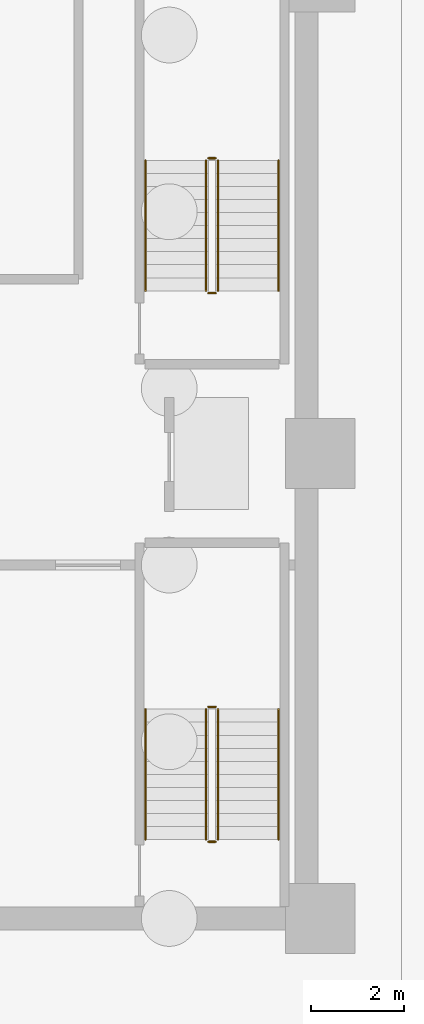
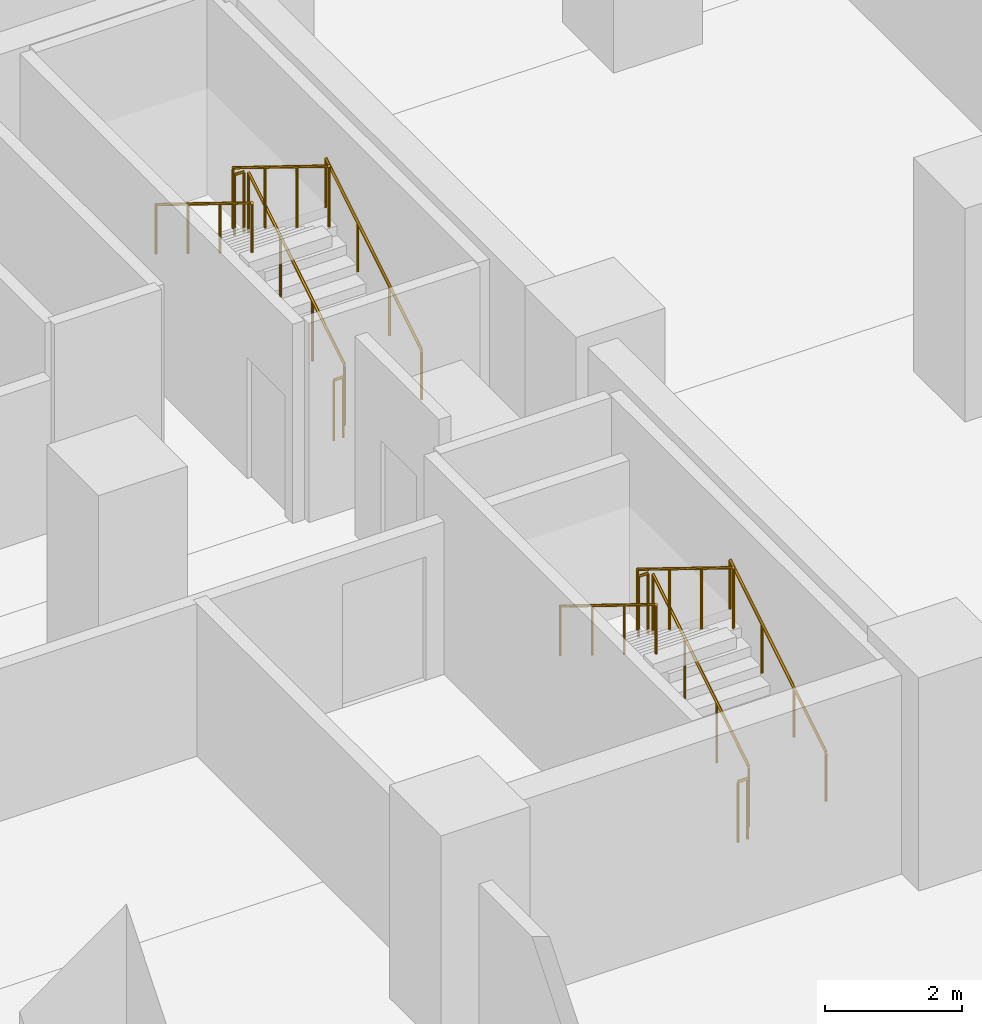
# One storey, part 6 of 7: 12 railings.
"""IFC4 building model written with IfcOpenShell, lengths in metres."""

import ifcopenshell
import ifcopenshell.guid

model = None  # the IFC model being written
_history = None  # IfcOwnerHistory: only IFC2X3 demands one
_inside = {}  # id of a spatial element -> (the spatial element, [elements in it])
_under = {}  # id of a project, library or spatial element -> (it, [spatial elements below it])
_declared = {}  # id of a project -> (the project, [libraries it declares])
_typed = {}  # id of a type object -> (the type object, [elements of that type])
_made_of = {}  # id of a material, layer set ... -> (it, [elements and type objects made of it])


def new_model(schema):
    """Start an empty IFC model of exactly this schema.

    Asked for "IFC4X3", IfcOpenShell would pick the latest addendum, in which some entities
    have other attributes; the version numbers below select the first issue.
    IFC2X3 requires an IfcOwnerHistory on every rooted entity: one is made here for all.
    """
    global model, _history
    if schema == "IFC4X3":
        model = ifcopenshell.file(schema_version=(4, 3, 0, 0))
    else:
        model = ifcopenshell.file(schema=schema)
    _inside.clear()
    _under.clear()
    _declared.clear()
    _typed.clear()
    _made_of.clear()
    _history = None
    if model.schema == "IFC2X3":
        org = make("IfcOrganization", Name="unknown")
        user = make(
            "IfcPersonAndOrganization",
            ThePerson=make("IfcPerson", FamilyName="unknown"),
            TheOrganization=org,
        )
        app = make(
            "IfcApplication",
            ApplicationDeveloper=org,
            Version="unknown",
            ApplicationFullName="unknown",
            ApplicationIdentifier="unknown",
        )
        _history = make(
            "IfcOwnerHistory",
            OwningUser=user,
            OwningApplication=app,
            ChangeAction="ADDED",
            CreationDate=0,
        )
    return model


def make(cls, **values):
    """One entity of the class cls with the attributes given. An attribute that is None is left unset."""
    return model.create_entity(
        cls, **{name: value for name, value in values.items() if value is not None}
    )


def rooted(cls, **values):
    """An entity with a GlobalId (a new one), such as an element, a storey or a relation."""
    return make(cls, GlobalId=ifcopenshell.guid.new(), OwnerHistory=_history, **values)


def si_unit(unit_type, name, prefix=None):
    """IfcSIUnit, for example si_unit("LENGTHUNIT", "METRE", prefix="MILLI")."""
    return make("IfcSIUnit", UnitType=unit_type, Prefix=prefix, Name=name)


def assignment(units):
    """IfcUnitAssignment: the units of a project."""
    return None if units is None else make("IfcUnitAssignment", Units=units)


def point(xyz):
    """IfcCartesianPoint."""
    return None if xyz is None else make("IfcCartesianPoint", Coordinates=xyz)


def direction(xyz):
    """IfcDirection."""
    return None if xyz is None else make("IfcDirection", DirectionRatios=xyz)


def frame(location, z_axis=None, x_axis=None):
    """IfcAxis2Placement3D, a coordinate frame: its origin and axes. An axis left out is left unset."""
    return make(
        "IfcAxis2Placement3D",
        Location=point(location),
        Axis=direction(z_axis),
        RefDirection=direction(x_axis),
    )


def frame_2d(location, x_axis=None):
    """IfcAxis2Placement2D, a coordinate frame in the plane: its origin and x axis."""
    return make(
        "IfcAxis2Placement2D", Location=point(location), RefDirection=direction(x_axis)
    )


def origin():
    """The frame at (0, 0, 0) with its axes left unset."""
    return frame((0.0, 0.0, 0.0))


def origin_2d():
    """The frame at (0, 0) in the plane with its x axis left unset."""
    return frame_2d((0.0, 0.0))


def place(relative_to, where):
    """IfcLocalPlacement: puts the frame where relative to a parent placement (None: the world)."""
    return make(
        "IfcLocalPlacement", PlacementRelTo=relative_to, RelativePlacement=where
    )


def context(
    kind, dimensions, precision=None, world=None, true_north=None, identifier=None
):
    """IfcGeometricRepresentationContext, for example the 3D "Model" context."""
    return make(
        "IfcGeometricRepresentationContext",
        ContextIdentifier=identifier,
        ContextType=kind,
        CoordinateSpaceDimension=dimensions,
        Precision=precision,
        WorldCoordinateSystem=world,
        TrueNorth=true_north,
    )


def subcontext(parent, identifier, kind, view, scale=None):
    """IfcGeometricRepresentationSubContext, for example "Body" below "Model"."""
    return make(
        "IfcGeometricRepresentationSubContext",
        ContextIdentifier=identifier,
        ContextType=kind,
        ParentContext=parent,
        TargetScale=scale,
        TargetView=view,
    )


def project(units=None, contexts=None):
    """IfcProject with its units and contexts."""
    return rooted(
        "IfcProject",
        Name="project",
        RepresentationContexts=contexts,
        UnitsInContext=assignment(units),
    )


def spatial(cls, under=None, at=None, **own):
    """A site, building, storey or space (cls), placed at a placement, below another one or the project."""
    s = rooted(cls, ObjectPlacement=at, **own)
    if under is not None:
        _under.setdefault(under.id(), (under, []))[1].append(s)
    return s


def profile(cls, at=None, kind="AREA", **sizes):
    """A parametric profile (cls). Its sizes go by their IFC names, for example OverallWidth=200.0."""
    return make(cls, ProfileType=kind, Position=at, **sizes)


def circle(**sizes):
    """IfcCircleProfileDef."""
    return profile("IfcCircleProfileDef", **sizes)


def extrude(swept, where, along, depth):
    """IfcExtrudedAreaSolid: the profile swept, set in the frame where, extruded along a direction by depth."""
    return make(
        "IfcExtrudedAreaSolid",
        SweptArea=swept,
        Position=where,
        ExtrudedDirection=direction(along),
        Depth=depth,
    )


def shape(context_of_items, identifier, shape_type, items):
    """IfcShapeRepresentation: the items that make up one representation, for example the "Body"."""
    return make(
        "IfcShapeRepresentation",
        ContextOfItems=context_of_items,
        RepresentationIdentifier=identifier,
        RepresentationType=shape_type,
        Items=items,
    )


def material(Name=None, Category=None):
    """IfcMaterial."""
    return make("IfcMaterial", Name=Name, Category=Category)


def layer(
    of_material, thickness, ventilated=None, Name=None, Category=None, Priority=None
):
    """IfcMaterialLayer: one layer of a wall or slab, of a material (None: an air gap)."""
    return make(
        "IfcMaterialLayer",
        Material=of_material,
        LayerThickness=thickness,
        IsVentilated=ventilated,
        Name=Name,
        Category=Category,
        Priority=Priority,
    )


def layer_set(layers, Name=None):
    """IfcMaterialLayerSet."""
    return make("IfcMaterialLayerSet", MaterialLayers=layers, LayerSetName=Name)


def made_of(thing, what):
    """Note that an element or type object is made of a material, layer set ...; save() writes the relation."""
    if what is not None:
        _made_of.setdefault(what.id(), (what, []))[1].append(thing)
    return thing


def type_object(cls, material=None, **own):
    """A type object (cls), such as IfcWallType, which elements share."""
    return made_of(rooted(cls, **own), material)


def element(
    cls,
    number,
    at=None,
    inside=None,
    cuts=None,
    type_object=None,
    material=None,
    context=None,
    identifier="Body",
    shape_type=None,
    held_by="IfcProductDefinitionShape",
    body=None,
    shapes=None,
    **own,
):
    """One element of the class cls, such as IfcWall. Its Tag is "e" and its number.

    at: its placement. inside: the storey or other place that contains it. cuts: it is an
    opening in that element (IfcRelVoidsElement). A single representation is given by context,
    identifier, shape_type and body (its items); several are given by shapes. held_by: the class
    of the entity that holds the representations. save() writes the other relations.
    """
    e = rooted(cls, Tag="e%d" % number, ObjectPlacement=at, **own)
    if body is not None:
        shapes = [shape(context, identifier, shape_type, body)]
    if shapes is not None:
        e.Representation = make(held_by, Representations=shapes)
    if inside is not None:
        _inside.setdefault(inside.id(), (inside, []))[1].append(e)
    if cuts is not None:
        rooted(
            "IfcRelVoidsElement", RelatingBuildingElement=cuts, RelatedOpeningElement=e
        )
    if type_object is not None:
        _typed.setdefault(type_object.id(), (type_object, []))[1].append(e)
    return made_of(e, material)


def aggregate(whole, parts):
    """IfcRelAggregates: a whole, such as a stair, and the parts it consists of."""
    return rooted("IfcRelAggregates", RelatingObject=whole, RelatedObjects=parts)


def save(model, path):
    """Write the relations noted so far, then the file.

    IfcRelAggregates (storeys below a building ...), IfcRelContainedInSpatialStructure (elements
    in a storey), IfcRelDefinesByType, IfcRelAssociatesMaterial and IfcRelDeclares: one each for
    every whole, place, type object, material and project.
    """
    for whole, parts in _under.values():
        aggregate(whole, parts)
    for where, things in _inside.values():
        rooted(
            "IfcRelContainedInSpatialStructure",
            RelatedElements=things,
            RelatingStructure=where,
        )
    for kind, things in _typed.values():
        rooted("IfcRelDefinesByType", RelatedObjects=things, RelatingType=kind)
    for what, things in _made_of.values():
        rooted("IfcRelAssociatesMaterial", RelatedObjects=things, RelatingMaterial=what)
    for by, libraries in _declared.values():
        rooted("IfcRelDeclares", RelatingContext=by, RelatedDefinitions=libraries)
    model.write(path)


model = new_model("IFC4")

# Units and contexts
model_context = context("Model", 3, precision=1e-05, world=origin(), true_north=direction((0.0, 1.0)))
body_context = subcontext(model_context, "Body", "Model", "MODEL_VIEW")
ifc_project = project(units=[si_unit("LENGTHUNIT", "METRE"), si_unit("AREAUNIT", "SQUARE_METRE"), si_unit("VOLUMEUNIT", "CUBIC_METRE"), si_unit("PLANEANGLEUNIT", "RADIAN"), si_unit("MASSUNIT", "GRAM", prefix="KILO")], contexts=[model_context])

# Site, building, storey
site_placement = place(None, origin())
site = spatial("IfcSite", under=ifc_project, at=site_placement, CompositionType="ELEMENT")
building_placement = place(site_placement, origin())
building = spatial("IfcBuilding", under=site, at=building_placement, Name="Kuzgunbayir Cultural Tower", CompositionType="ELEMENT")
storey_placement = place(building_placement, frame((0.0, 0.0, -11.39990234375)))
storey = spatial("IfcBuildingStorey", under=building, at=storey_placement, Name="B03", CompositionType="ELEMENT", Elevation=-11.39990234375)

# Railings
ifc_material_1 = material(Name="Brushed Stainless Steel", Category="steel")
ifc_layer_1 = layer(ifc_material_1, 0.050048828125)
ifc_layer_set_1 = layer_set([ifc_layer_1], Name="Brushed Stainless Steel")
railing_type_1 = type_object("IfcRailingType", Name="RLG-STAIR-HANDRAIL", PredefinedType="HANDRAIL", material=ifc_layer_set_1)
railing_1_placement = place(storey_placement, frame((71.75, 23.699951171875, 0.172607421875)))
element("IfcRailing", 1, at=railing_1_placement, inside=storey, type_object=railing_type_1, Name="B03 ST-3 stair handrail 1", PredefinedType="HANDRAIL", context=body_context, shape_type="SweptSolid", body=[
    extrude(circle(Radius=0.02392578125, at=origin_2d()), frame((0.0, 0.0, 0.8759765625), z_axis=(0.0, 0.851089632645, 0.525020415988), x_axis=(-1.0, 0.0, 0.0)), (0.0, 0.0, 1.0), 3.2900390625),
    extrude(circle(Radius=0.02099609375, at=origin_2d()), origin(), (0.0, 0.0, 1.0), 0.851806640625),
    extrude(circle(Radius=0.02099609375, at=origin_2d()), frame((0.0, 0.933349609375, 0.57568359375)), (0.0, 0.0, 1.0), 0.851806640625),
    extrude(circle(Radius=0.02099609375, at=origin_2d()), frame((0.0, 1.86669921875, 1.151611328125)), (0.0, 0.0, 1.0), 0.851806640625),
    extrude(circle(Radius=0.02099609375, at=origin_2d()), frame((0.0, 2.800048828125, 1.727294921875)), (0.0, 0.0, 1.0), 0.851806640625),
])
railing_2_placement = place(storey_placement, frame((68.889892578125, 26.5, 2.072509765625)))
element("IfcRailing", 2, at=railing_2_placement, inside=storey, type_object=railing_type_1, Name="B03 ST-3 stair handrail 2", PredefinedType="HANDRAIL", context=body_context, shape_type="SweptSolid", body=[
    extrude(circle(Radius=0.02392578125, at=origin_2d()), frame((0.0, 0.0, 0.8759765625), z_axis=(0.0, -0.851089632645, 0.525020415988), x_axis=(1.0, 0.0, 0.0)), (0.0, 0.0, 1.0), 3.2900390625),
    extrude(circle(Radius=0.02099609375, at=origin_2d()), origin(), (0.0, 0.0, 1.0), 0.851806640625),
    extrude(circle(Radius=0.02099609375, at=origin_2d()), frame((0.0, -0.933349609375, 0.57568359375)), (0.0, 0.0, 1.0), 0.851806640625),
    extrude(circle(Radius=0.02099609375, at=origin_2d()), frame((0.0, -1.86669921875, 1.151611328125)), (0.0, 0.0, 1.0), 0.851806640625),
    extrude(circle(Radius=0.02099609375, at=origin_2d()), frame((0.0, -2.800048828125, 1.727294921875)), (0.0, 0.0, 1.0), 0.851806640625),
])
railing_3_placement = place(storey_placement, frame((71.75, 35.5, 0.172607421875)))
element("IfcRailing", 3, at=railing_3_placement, inside=storey, type_object=railing_type_1, Name="B03 ST-4 stair handrail 1", PredefinedType="HANDRAIL", context=body_context, shape_type="SweptSolid", body=[
    extrude(circle(Radius=0.02392578125, at=origin_2d()), frame((0.0, 0.0, 0.8759765625), z_axis=(0.0, 0.851089632645, 0.525020415988), x_axis=(-1.0, 0.0, 0.0)), (0.0, 0.0, 1.0), 3.2900390625),
    extrude(circle(Radius=0.02099609375, at=origin_2d()), origin(), (0.0, 0.0, 1.0), 0.851806640625),
    extrude(circle(Radius=0.02099609375, at=origin_2d()), frame((0.0, 0.933349609375, 0.57568359375)), (0.0, 0.0, 1.0), 0.851806640625),
    extrude(circle(Radius=0.02099609375, at=origin_2d()), frame((0.0, 1.86669921875, 1.151611328125)), (0.0, 0.0, 1.0), 0.851806640625),
    extrude(circle(Radius=0.02099609375, at=origin_2d()), frame((0.0, 2.800048828125, 1.727294921875)), (0.0, 0.0, 1.0), 0.851806640625),
])
railing_4_placement = place(storey_placement, frame((68.889892578125, 38.300048828125, 2.072509765625)))
element("IfcRailing", 4, at=railing_4_placement, inside=storey, type_object=railing_type_1, Name="B03 ST-4 stair handrail 2", PredefinedType="HANDRAIL", context=body_context, shape_type="SweptSolid", body=[
    extrude(circle(Radius=0.02392578125, at=origin_2d()), frame((0.0, 0.0, 0.8759765625), z_axis=(0.0, -0.851089632645, 0.525020415988), x_axis=(1.0, 0.0, 0.0)), (0.0, 0.0, 1.0), 3.2900390625),
    extrude(circle(Radius=0.02099609375, at=origin_2d()), origin(), (0.0, 0.0, 1.0), 0.851806640625),
    extrude(circle(Radius=0.02099609375, at=origin_2d()), frame((0.0, -0.933349609375, 0.57568359375)), (0.0, 0.0, 1.0), 0.851806640625),
    extrude(circle(Radius=0.02099609375, at=origin_2d()), frame((0.0, -1.86669921875, 1.151611328125)), (0.0, 0.0, 1.0), 0.851806640625),
    extrude(circle(Radius=0.02099609375, at=origin_2d()), frame((0.0, -2.800048828125, 1.727294921875)), (0.0, 0.0, 1.0), 0.851806640625),
])
ifc_material_2 = material(Name="Painted Steel Balustrade", Category="steel")
ifc_layer_2 = layer(ifc_material_2, 0.06005859375)
ifc_layer_set_2 = layer_set([ifc_layer_2], Name="Painted Steel Balustrade")
railing_type_2 = type_object("IfcRailingType", Name="RLG-WELL-GUARD", PredefinedType="GUARDRAIL", material=ifc_layer_set_2)
railing_5_placement = place(storey_placement, frame((70.449951171875, 23.699951171875, 0.172607421875)))
element("IfcRailing", 5, at=railing_5_placement, inside=storey, type_object=railing_type_2, Name="B03 ST-3 stair guard 1", PredefinedType="GUARDRAIL", context=body_context, shape_type="SweptSolid", body=[
    extrude(circle(Radius=0.02392578125, at=origin_2d()), frame((0.0, 0.0, 1.076171875), z_axis=(0.0, 0.851089632645, 0.525020415988), x_axis=(-1.0, 0.0, 0.0)), (0.0, 0.0, 1.0), 3.2900390625),
    extrude(circle(Radius=0.02099609375, at=origin_2d()), origin(), (0.0, 0.0, 1.0), 1.052001953125),
    extrude(circle(Radius=0.02099609375, at=origin_2d()), frame((0.0, 0.933349609375, 0.57568359375)), (0.0, 0.0, 1.0), 1.052001953125),
    extrude(circle(Radius=0.02099609375, at=origin_2d()), frame((0.0, 1.86669921875, 1.151611328125)), (0.0, 0.0, 1.0), 1.052001953125),
    extrude(circle(Radius=0.02099609375, at=origin_2d()), frame((0.0, 2.800048828125, 1.727294921875)), (0.0, 0.0, 1.0), 1.052001953125),
])
railing_6_placement = place(storey_placement, frame((70.39990234375, 26.550048828125, 1.89990234375)))
element("IfcRailing", 6, at=railing_6_placement, inside=storey, type_object=railing_type_2, Name="B03 ST-3 stair guard 2", PredefinedType="GUARDRAIL", context=body_context, shape_type="SweptSolid", body=[
    extrude(circle(Radius=0.02392578125, at=origin_2d()), frame((0.0, 0.0, 1.076171875), z_axis=(-1.0, 0.0, 0.0), x_axis=(0.0, -1.0, 0.0)), (0.0, 0.0, 1.0), 0.159912109375),
    extrude(circle(Radius=0.02099609375, at=origin_2d()), origin(), (0.0, 0.0, 1.0), 1.052001953125),
    extrude(circle(Radius=0.02099609375, at=origin_2d()), frame((-0.159912109375, 0.0, 0.0)), (0.0, 0.0, 1.0), 1.052001953125),
])
railing_7_placement = place(storey_placement, frame((70.18994140625, 26.5, 2.072509765625)))
element("IfcRailing", 7, at=railing_7_placement, inside=storey, type_object=railing_type_2, Name="B03 ST-3 stair guard 3", PredefinedType="GUARDRAIL", context=body_context, shape_type="SweptSolid", body=[
    extrude(circle(Radius=0.02392578125, at=origin_2d()), frame((0.0, 0.0, 1.076171875), z_axis=(0.0, -0.851089632645, 0.525020415988), x_axis=(1.0, 0.0, 0.0)), (0.0, 0.0, 1.0), 3.2900390625),
    extrude(circle(Radius=0.02099609375, at=origin_2d()), origin(), (0.0, 0.0, 1.0), 1.052001953125),
    extrude(circle(Radius=0.02099609375, at=origin_2d()), frame((0.0, -0.933349609375, 0.57568359375)), (0.0, 0.0, 1.0), 1.052001953125),
    extrude(circle(Radius=0.02099609375, at=origin_2d()), frame((0.0, -1.86669921875, 1.151611328125)), (0.0, 0.0, 1.0), 1.052001953125),
    extrude(circle(Radius=0.02099609375, at=origin_2d()), frame((0.0, -2.800048828125, 1.727294921875)), (0.0, 0.0, 1.0), 1.052001953125),
])
railing_8_placement = place(storey_placement, frame((70.39990234375, 23.64990234375, 0.0)))
element("IfcRailing", 8, at=railing_8_placement, inside=storey, type_object=railing_type_2, Name="B03 ST-3 stair guard 4", PredefinedType="GUARDRAIL", context=body_context, shape_type="SweptSolid", body=[
    extrude(circle(Radius=0.02392578125, at=origin_2d()), frame((0.0, 0.0, 1.076171875), z_axis=(-1.0, 0.0, 0.0), x_axis=(0.0, -1.0, 0.0)), (0.0, 0.0, 1.0), 0.159912109375),
    extrude(circle(Radius=0.02099609375, at=origin_2d()), origin(), (0.0, 0.0, 1.0), 1.052001953125),
    extrude(circle(Radius=0.02099609375, at=origin_2d()), frame((-0.159912109375, 0.0, 0.0)), (0.0, 0.0, 1.0), 1.052001953125),
])
railing_9_placement = place(storey_placement, frame((70.449951171875, 35.5, 0.172607421875)))
element("IfcRailing", 9, at=railing_9_placement, inside=storey, type_object=railing_type_2, Name="B03 ST-4 stair guard 1", PredefinedType="GUARDRAIL", context=body_context, shape_type="SweptSolid", body=[
    extrude(circle(Radius=0.02392578125, at=origin_2d()), frame((0.0, 0.0, 1.076171875), z_axis=(0.0, 0.851089632645, 0.525020415988), x_axis=(-1.0, 0.0, 0.0)), (0.0, 0.0, 1.0), 3.2900390625),
    extrude(circle(Radius=0.02099609375, at=origin_2d()), origin(), (0.0, 0.0, 1.0), 1.052001953125),
    extrude(circle(Radius=0.02099609375, at=origin_2d()), frame((0.0, 0.933349609375, 0.57568359375)), (0.0, 0.0, 1.0), 1.052001953125),
    extrude(circle(Radius=0.02099609375, at=origin_2d()), frame((0.0, 1.86669921875, 1.151611328125)), (0.0, 0.0, 1.0), 1.052001953125),
    extrude(circle(Radius=0.02099609375, at=origin_2d()), frame((0.0, 2.800048828125, 1.727294921875)), (0.0, 0.0, 1.0), 1.052001953125),
])
railing_10_placement = place(storey_placement, frame((70.39990234375, 38.35009765625, 1.89990234375)))
element("IfcRailing", 10, at=railing_10_placement, inside=storey, type_object=railing_type_2, Name="B03 ST-4 stair guard 2", PredefinedType="GUARDRAIL", context=body_context, shape_type="SweptSolid", body=[
    extrude(circle(Radius=0.02392578125, at=origin_2d()), frame((0.0, 0.0, 1.076171875), z_axis=(-1.0, 0.0, 0.0), x_axis=(0.0, -1.0, 0.0)), (0.0, 0.0, 1.0), 0.159912109375),
    extrude(circle(Radius=0.02099609375, at=origin_2d()), origin(), (0.0, 0.0, 1.0), 1.052001953125),
    extrude(circle(Radius=0.02099609375, at=origin_2d()), frame((-0.159912109375, 0.0, 0.0)), (0.0, 0.0, 1.0), 1.052001953125),
])
railing_11_placement = place(storey_placement, frame((70.18994140625, 38.300048828125, 2.072509765625)))
element("IfcRailing", 11, at=railing_11_placement, inside=storey, type_object=railing_type_2, Name="B03 ST-4 stair guard 3", PredefinedType="GUARDRAIL", context=body_context, shape_type="SweptSolid", body=[
    extrude(circle(Radius=0.02392578125, at=origin_2d()), frame((0.0, 0.0, 1.076171875), z_axis=(0.0, -0.851089632645, 0.525020415988), x_axis=(1.0, 0.0, 0.0)), (0.0, 0.0, 1.0), 3.2900390625),
    extrude(circle(Radius=0.02099609375, at=origin_2d()), origin(), (0.0, 0.0, 1.0), 1.052001953125),
    extrude(circle(Radius=0.02099609375, at=origin_2d()), frame((0.0, -0.933349609375, 0.57568359375)), (0.0, 0.0, 1.0), 1.052001953125),
    extrude(circle(Radius=0.02099609375, at=origin_2d()), frame((0.0, -1.86669921875, 1.151611328125)), (0.0, 0.0, 1.0), 1.052001953125),
    extrude(circle(Radius=0.02099609375, at=origin_2d()), frame((0.0, -2.800048828125, 1.727294921875)), (0.0, 0.0, 1.0), 1.052001953125),
])
railing_12_placement = place(storey_placement, frame((70.39990234375, 35.449951171875, 0.0)))
element("IfcRailing", 12, at=railing_12_placement, inside=storey, type_object=railing_type_2, Name="B03 ST-4 stair guard 4", PredefinedType="GUARDRAIL", context=body_context, shape_type="SweptSolid", body=[
    extrude(circle(Radius=0.02392578125, at=origin_2d()), frame((0.0, 0.0, 1.076171875), z_axis=(-1.0, 0.0, 0.0), x_axis=(0.0, -1.0, 0.0)), (0.0, 0.0, 1.0), 0.159912109375),
    extrude(circle(Radius=0.02099609375, at=origin_2d()), origin(), (0.0, 0.0, 1.0), 1.052001953125),
    extrude(circle(Radius=0.02099609375, at=origin_2d()), frame((-0.159912109375, 0.0, 0.0)), (0.0, 0.0, 1.0), 1.052001953125),
])

save(model, "model.ifc")
